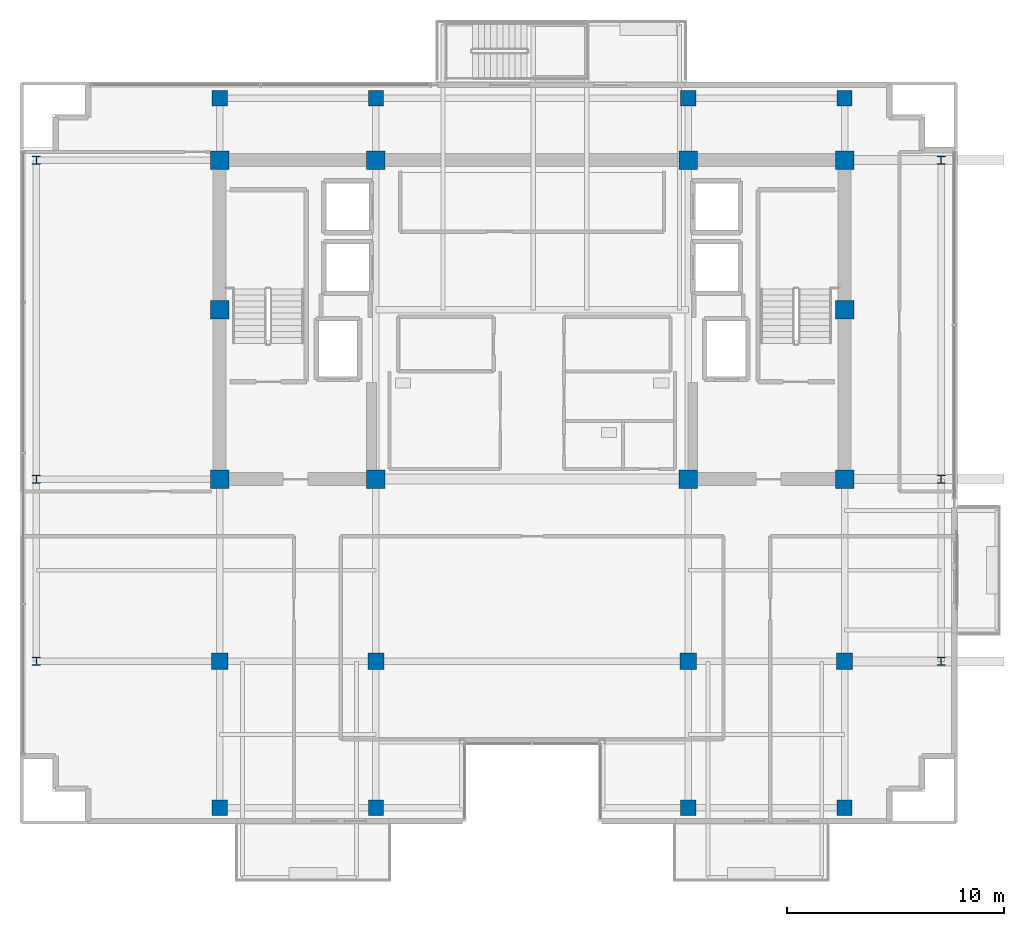
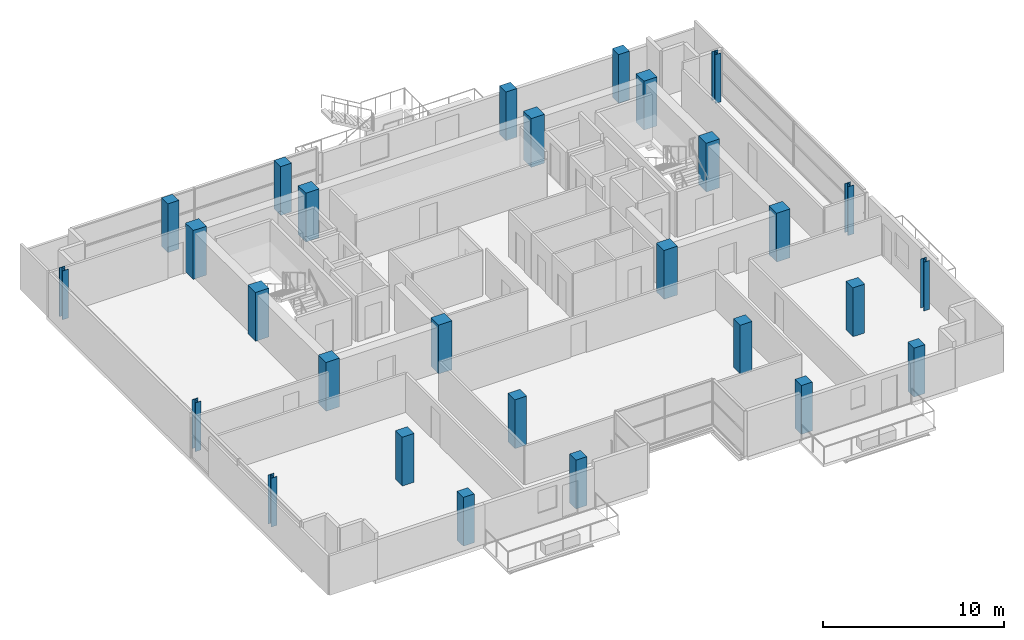
# One storey, part 1 of 24: 28 columns.
"""IFC4 building model written with IfcOpenShell, lengths in metres."""

from ifc_helpers import new_model, si_unit, direction, frame, origin, origin_2d, place, context, subcontext, project, spatial, rectangle, i_section, extrude, material, material_profile, profile_set, type_object, element, save


model = new_model("IFC4")

# Units and contexts
model_context = context("Model", 3, precision=1e-05, world=origin(), true_north=direction((0.0, 1.0)))
body_context = subcontext(model_context, "Body", "Model", "MODEL_VIEW")
ifc_project = project(units=[si_unit("LENGTHUNIT", "METRE"), si_unit("AREAUNIT", "SQUARE_METRE"), si_unit("VOLUMEUNIT", "CUBIC_METRE"), si_unit("PLANEANGLEUNIT", "RADIAN"), si_unit("MASSUNIT", "GRAM", prefix="KILO")], contexts=[model_context])

# Site, building, storey
site_placement = place(None, origin())
site = spatial("IfcSite", under=ifc_project, at=site_placement, CompositionType="ELEMENT")
building_placement = place(site_placement, origin())
building = spatial("IfcBuilding", under=site, at=building_placement, Name="Zarnakvel Exchange Tower", CompositionType="ELEMENT")
storey_placement = place(building_placement, frame((0.0, 0.0, 205.60009765625)))
storey = spatial("IfcBuildingStorey", under=building, at=storey_placement, Name="L57", CompositionType="ELEMENT", Elevation=205.60009765625)

# Columns
ifc_material_1 = material(Name="Concrete C50/60", Category="concrete")
ifc_material_profile_1 = material_profile(ifc_material_1, rectangle(XDim=0.85009765625, YDim=0.85009765625, at=origin_2d()))
ifc_profile_set_1 = profile_set([ifc_material_profile_1], Name="Concrete C50/60")
column_type_1 = type_object("IfcColumnType", Name="CC-03", PredefinedType="COLUMN", material=ifc_profile_set_1)
for number, where, z_axis, x_axis, name in (
    (1, (-14.39990234375, -1.199951171875, 0.0), (0.0, 0.0, 1.0), (1.0, 0.0, 0.0), "L57 Column C-4D (CC-03)"),
    (2, (-7.199951171875, -1.199951171875, 0.0), (0.0, 0.0, 1.0), (1.0, 0.0, 0.0), "L57 Column C-5D (CC-03)"),
    (3, (7.199951171875, -1.199951171875, 0.0), (0.0, 0.0, 1.0), (1.0, 0.0, 0.0), "L57 Column C-8D (CC-03)"),
    (4, (14.39990234375, -1.199951171875, 0.0), (0.0, 0.0, 1.0), (1.0, 0.0, 0.0), "L57 Column C-9D (CC-03)"),
    (5, (-14.39990234375, 6.60009765625, 0.0), (0.0, 0.0, 1.0), (1.0, 0.0, 0.0), "L57 Column C-4E (CC-03)"),
    (6, (14.39990234375, 6.60009765625, 0.0), (0.0, 0.0, 1.0), (1.0, 0.0, 0.0), "L57 Column C-9E (CC-03)"),
    (7, (-14.39990234375, 13.5, 0.0), (0.0, 0.0, 1.0), (1.0, 0.0, 0.0), "L57 Column C-4F (CC-03)"),
    (8, (-7.199951171875, 13.5, 0.0), (0.0, 0.0, 1.0), (1.0, 0.0, 0.0), "L57 Column C-5F (CC-03)"),
    (9, (7.199951171875, 13.5, 0.0), (0.0, 0.0, 1.0), (1.0, 0.0, 0.0), "L57 Column C-8F (CC-03)"),
    (10, (14.39990234375, 13.5, 0.0), (0.0, 0.0, 1.0), (1.0, 0.0, 0.0), "L57 Column C-9F (CC-03)"),
):
    element("IfcColumn", number, at=place(storey_placement, frame(where, z_axis=z_axis, x_axis=x_axis)), inside=storey, type_object=column_type_1, Name=name, PredefinedType="COLUMN", context=body_context, shape_type="SweptSolid", body=[
        extrude(rectangle(XDim=0.85009765625, YDim=0.85009765625, at=origin_2d()), origin(), (0.0, 0.0, 1.0), 3.2998046875),
    ])
ifc_material_2 = material(Name="Steel S355", Category="steel")
ifc_material_profile_2 = material_profile(ifc_material_2, i_section(OverallWidth=0.374755859375, OverallDepth=0.37451171875, WebThickness=0.0166015625, FlangeThickness=0.027099609375, FilletRadius=0.01513671875, at=origin_2d()))
ifc_profile_set_2 = profile_set([ifc_material_profile_2], Name="Steel S355")
column_type_2 = type_object("IfcColumnType", Name="SC-05", PredefinedType="COLUMN", material=ifc_profile_set_2)
for number, where, z_axis, x_axis, name in (
    (11, (-22.85009765625, -9.60009765625, 0.0), (0.0, 0.0, 1.0), (1.0, 0.0, 0.0), "L57 Column TW-C (SC-05)"),
    (12, (18.85009765625, -9.60009765625, 0.0), (0.0, 0.0, 1.0), (1.0, 0.0, 0.0), "L57 Column TE-C (SC-05)"),
    (13, (-22.85009765625, -1.199951171875, 0.0), (0.0, 0.0, 1.0), (1.0, 0.0, 0.0), "L57 Column TW-D (SC-05)"),
    (14, (18.85009765625, -1.199951171875, 0.0), (0.0, 0.0, 1.0), (1.0, 0.0, 0.0), "L57 Column TE-D (SC-05)"),
    (15, (-22.85009765625, 13.5, 0.0), (0.0, 0.0, 1.0), (1.0, 0.0, 0.0), "L57 Column TW-F (SC-05)"),
    (16, (18.85009765625, 13.5, 0.0), (0.0, 0.0, 1.0), (1.0, 0.0, 0.0), "L57 Column TE-F (SC-05)"),
):
    element("IfcColumn", number, at=place(storey_placement, frame(where, z_axis=z_axis, x_axis=x_axis)), inside=storey, type_object=column_type_2, Name=name, PredefinedType="COLUMN", context=body_context, shape_type="SweptSolid", body=[
        extrude(i_section(OverallWidth=0.374755859375, OverallDepth=0.37451171875, WebThickness=0.0166015625, FlangeThickness=0.027099609375, FilletRadius=0.01513671875, at=origin_2d()), origin(), (0.0, 0.0, 1.0), 3.2998046875),
    ])
ifc_material_profile_3 = material_profile(ifc_material_1, rectangle(XDim=0.75, YDim=0.75, at=origin_2d()))
ifc_profile_set_3 = profile_set([ifc_material_profile_3], Name="Concrete C50/60")
column_type_3 = type_object("IfcColumnType", Name="TC-04", PredefinedType="COLUMN", material=ifc_profile_set_3)
for number, where, z_axis, x_axis, name in (
    (17, (-14.39990234375, -9.60009765625, 0.0), (0.0, 0.0, 1.0), (1.0, 0.0, 0.0), "L57 Column T-4C (TC-04)"),
    (18, (-7.199951171875, -9.60009765625, 0.0), (0.0, 0.0, 1.0), (1.0, 0.0, 0.0), "L57 Column T-5C (TC-04)"),
    (19, (7.199951171875, -9.60009765625, 0.0), (0.0, 0.0, 1.0), (1.0, 0.0, 0.0), "L57 Column T-8C (TC-04)"),
    (20, (14.39990234375, -9.60009765625, 0.0), (0.0, 0.0, 1.0), (1.0, 0.0, 0.0), "L57 Column T-9C (TC-04)"),
):
    element("IfcColumn", number, at=place(storey_placement, frame(where, z_axis=z_axis, x_axis=x_axis)), inside=storey, type_object=column_type_3, Name=name, PredefinedType="COLUMN", context=body_context, shape_type="SweptSolid", body=[
        extrude(rectangle(XDim=0.75, YDim=0.75, at=origin_2d()), origin(), (0.0, 0.0, 1.0), 3.2998046875),
    ])
ifc_material_profile_4 = material_profile(ifc_material_1, rectangle(XDim=0.699951171875, YDim=0.699951171875, at=origin_2d()))
ifc_profile_set_4 = profile_set([ifc_material_profile_4], Name="Concrete C50/60")
column_type_4 = type_object("IfcColumnType", Name="TC-05", PredefinedType="COLUMN", material=ifc_profile_set_4)
for number, where, z_axis, x_axis, name in (
    (21, (-14.39990234375, -16.35009765625, 0.0), (0.0, 0.0, 1.0), (1.0, 0.0, 0.0), "L57 Column TS-4 (TC-05)"),
    (22, (-14.39990234375, 16.35009765625, 0.0), (0.0, 0.0, 1.0), (1.0, 0.0, 0.0), "L57 Column TN-4 (TC-05)"),
    (23, (-7.199951171875, -16.35009765625, 0.0), (0.0, 0.0, 1.0), (1.0, 0.0, 0.0), "L57 Column TS-5 (TC-05)"),
    (24, (-7.199951171875, 16.35009765625, 0.0), (0.0, 0.0, 1.0), (1.0, 0.0, 0.0), "L57 Column TN-5 (TC-05)"),
    (25, (7.199951171875, -16.35009765625, 0.0), (0.0, 0.0, 1.0), (1.0, 0.0, 0.0), "L57 Column TS-8 (TC-05)"),
    (26, (7.199951171875, 16.35009765625, 0.0), (0.0, 0.0, 1.0), (1.0, 0.0, 0.0), "L57 Column TN-8 (TC-05)"),
    (27, (14.39990234375, -16.35009765625, 0.0), (0.0, 0.0, 1.0), (1.0, 0.0, 0.0), "L57 Column TS-9 (TC-05)"),
    (28, (14.39990234375, 16.35009765625, 0.0), (0.0, 0.0, 1.0), (1.0, 0.0, 0.0), "L57 Column TN-9 (TC-05)"),
):
    element("IfcColumn", number, at=place(storey_placement, frame(where, z_axis=z_axis, x_axis=x_axis)), inside=storey, type_object=column_type_4, Name=name, PredefinedType="COLUMN", context=body_context, shape_type="SweptSolid", body=[
        extrude(rectangle(XDim=0.699951171875, YDim=0.699951171875, at=origin_2d()), origin(), (0.0, 0.0, 1.0), 3.2998046875),
    ])

save(model, "model.ifc")
